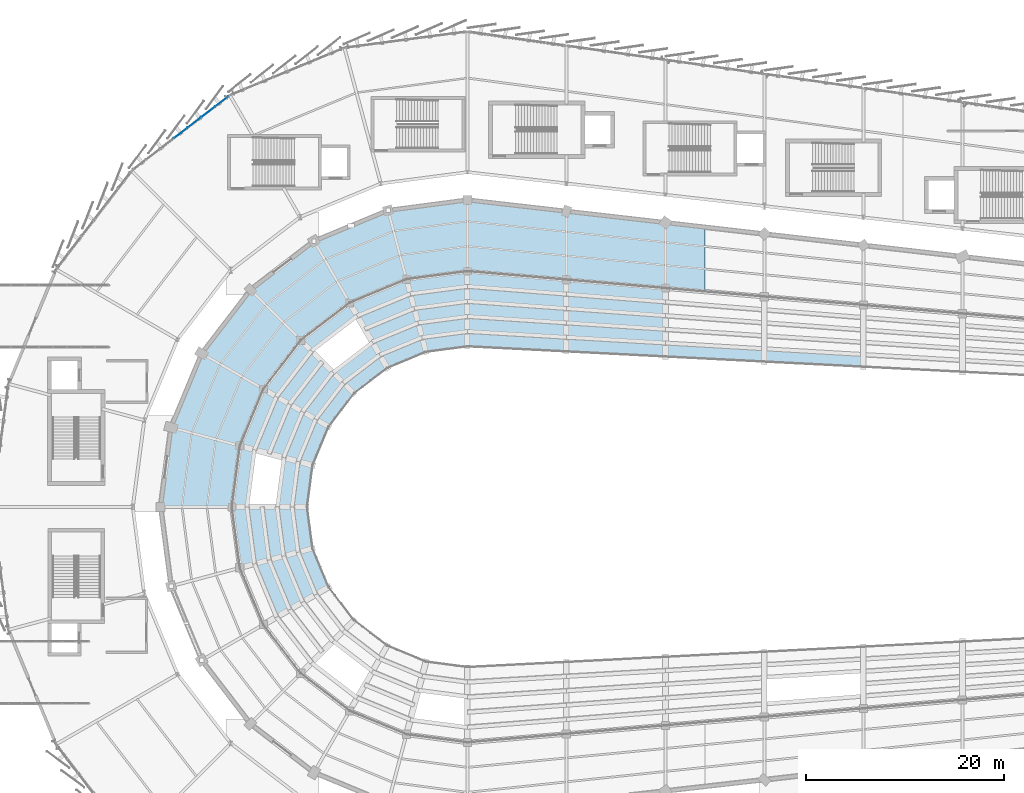
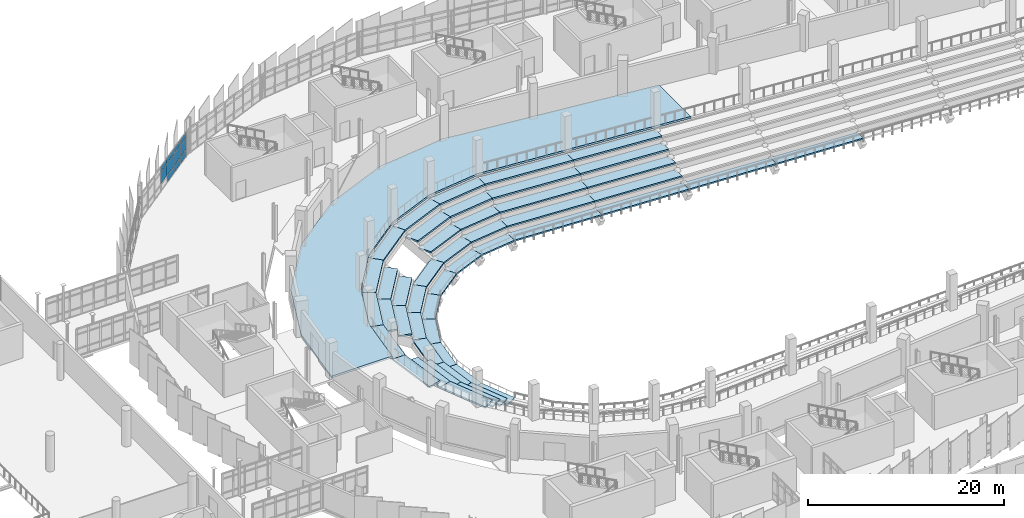
# One storey, part 93 of 134: 48 slabs, 11 plates, 1 element without a shape of its own.
"""IFC4 building model written with IfcOpenShell, lengths in metres."""

from ifc_helpers import new_model, si_unit, direction, frame, origin, origin_2d, place, context, subcontext, project, spatial, polyline, rectangle, outline, extrude, material, layer, layer_set, type_object, element, aggregate, save


model = new_model("IFC4")

# Units and contexts
model_context = context("Model", 3, precision=1e-05, world=origin(), true_north=direction((0.0, 1.0)))
body_context = subcontext(model_context, "Body", "Model", "MODEL_VIEW")
ifc_project = project(units=[si_unit("LENGTHUNIT", "METRE"), si_unit("AREAUNIT", "SQUARE_METRE"), si_unit("VOLUMEUNIT", "CUBIC_METRE"), si_unit("PLANEANGLEUNIT", "RADIAN"), si_unit("MASSUNIT", "GRAM", prefix="KILO")], contexts=[model_context])

# Site, building, storey
site_placement = place(None, origin())
site = spatial("IfcSite", under=ifc_project, at=site_placement, CompositionType="ELEMENT")
building_placement = place(site_placement, origin())
building = spatial("IfcBuilding", under=site, at=building_placement, Name="Sohan Crest Arena", CompositionType="ELEMENT")
storey_placement = place(building_placement, frame((0.0, 0.0, 4.5)))
storey = spatial("IfcBuildingStorey", under=building, at=storey_placement, Name="L01", CompositionType="ELEMENT", Elevation=4.5)

# Curtain wall, plates
ifc_material_1 = material(Name="Thermally broken anodised aluminium", Category="aluminium")
ifc_layer_1 = layer(ifc_material_1, 0.219970703125, Name="Thermally broken anodised aluminium")
ifc_layer_set_1 = layer_set([ifc_layer_1], Name="Thermally broken anodised aluminium")
curtain_wall_type = type_object("IfcCurtainWallType", Name="ARC-CW03", PredefinedType="NOTDEFINED", material=ifc_layer_set_1)
curtain_wall_placement = place(storey_placement, origin())
curtain_wall = element("IfcCurtainWall", 1, at=curtain_wall_placement, inside=storey, type_object=curtain_wall_type, Name="Unitised curtain wall CW-022", PredefinedType="NOTDEFINED")
ifc_material_2 = material(Name="Ceramic-fritted solar-control insulated glass", Category="glass")
ifc_layer_2 = layer(ifc_material_2, 0.035888671875, Name="Ceramic-fritted solar-control insulated glass")
ifc_layer_set_2 = layer_set([ifc_layer_2], Name="Ceramic-fritted solar-control insulated glass")
plate_type = type_object("IfcPlateType", Name="ARC-CNP03", PredefinedType="CURTAIN_PANEL", material=ifc_layer_set_2)
plate_1_placement = place(storey_placement, frame((73.187744140625, 118.94580078125, 0.070068359375), z_axis=(0.0, 0.0, 1.0), x_axis=(-0.793350515411, -0.608765110447, 0.0)))
plate_1 = element("IfcPlate", 2, at=plate_1_placement, type_object=plate_type, Name="CW-022 panel 1.1", PredefinedType="CURTAIN_PANEL", context=body_context, shape_type="SweptSolid", body=[
    extrude(rectangle(XDim=1.64794921875, YDim=0.035888671875, at=origin_2d()), origin(), (0.0, 0.0, 1.0), 0.794921875),
])
plate_2_placement = place(storey_placement, frame((73.187744140625, 118.94580078125, 0.93505859375), z_axis=(0.0, 0.0, 1.0), x_axis=(-0.793350515411, -0.608765110447, 0.0)))
plate_2 = element("IfcPlate", 3, at=plate_2_placement, type_object=plate_type, Name="CW-022 panel 1.2", PredefinedType="CURTAIN_PANEL", context=body_context, shape_type="SweptSolid", body=[
    extrude(rectangle(XDim=1.64794921875, YDim=0.035888671875, at=origin_2d()), origin(), (0.0, 0.0, 1.0), 1.449951171875),
])
plate_3_placement = place(storey_placement, frame((73.187744140625, 118.94580078125, 2.455078125), z_axis=(0.0, 0.0, 1.0), x_axis=(-0.793350515411, -0.608765110447, 0.0)))
plate_3 = element("IfcPlate", 4, at=plate_3_placement, type_object=plate_type, Name="CW-022 panel 1.3", PredefinedType="CURTAIN_PANEL", context=body_context, shape_type="SweptSolid", body=[
    extrude(rectangle(XDim=1.64794921875, YDim=0.035888671875, at=origin_2d()), origin(), (0.0, 0.0, 1.0), 0.594970703125),
])
plate_4_placement = place(storey_placement, frame((71.81103515625, 117.889404296875, 0.070068359375), z_axis=(0.0, 0.0, 1.0), x_axis=(-0.793350515411, -0.608765110447, 0.0)))
plate_4 = element("IfcPlate", 5, at=plate_4_placement, type_object=plate_type, Name="CW-022 panel 2.1", PredefinedType="CURTAIN_PANEL", context=body_context, shape_type="SweptSolid", body=[
    extrude(rectangle(XDim=1.682861328125, YDim=0.035888671875, at=origin_2d()), origin(), (0.0, 0.0, 1.0), 0.794921875),
])
plate_5_placement = place(storey_placement, frame((71.81103515625, 117.889404296875, 0.93505859375), z_axis=(0.0, 0.0, 1.0), x_axis=(-0.793350515411, -0.608765110447, 0.0)))
plate_5 = element("IfcPlate", 6, at=plate_5_placement, type_object=plate_type, Name="CW-022 panel 2.2", PredefinedType="CURTAIN_PANEL", context=body_context, shape_type="SweptSolid", body=[
    extrude(rectangle(XDim=1.682861328125, YDim=0.035888671875, at=origin_2d()), origin(), (0.0, 0.0, 1.0), 1.449951171875),
])
plate_6_placement = place(storey_placement, frame((71.81103515625, 117.889404296875, 2.455078125), z_axis=(0.0, 0.0, 1.0), x_axis=(-0.793350515411, -0.608765110447, 0.0)))
plate_6 = element("IfcPlate", 7, at=plate_6_placement, type_object=plate_type, Name="CW-022 panel 2.3", PredefinedType="CURTAIN_PANEL", context=body_context, shape_type="SweptSolid", body=[
    extrude(rectangle(XDim=1.682861328125, YDim=0.035888671875, at=origin_2d()), origin(), (0.0, 0.0, 1.0), 0.594970703125),
])
plate_7_placement = place(storey_placement, frame((70.420166015625, 116.822021484375, 0.070068359375), z_axis=(0.0, 0.0, 1.0), x_axis=(-0.793350515411, -0.608765110447, 0.0)))
plate_7 = element("IfcPlate", 8, at=plate_7_placement, type_object=plate_type, Name="CW-022 panel 3.1", PredefinedType="CURTAIN_PANEL", context=body_context, shape_type="SweptSolid", body=[
    extrude(rectangle(XDim=1.682861328125, YDim=0.035888671875, at=origin_2d()), origin(), (0.0, 0.0, 1.0), 0.794921875),
])
plate_8_placement = place(storey_placement, frame((70.420166015625, 116.822021484375, 0.93505859375), z_axis=(0.0, 0.0, 1.0), x_axis=(-0.793350515411, -0.608765110447, 0.0)))
plate_8 = element("IfcPlate", 9, at=plate_8_placement, type_object=plate_type, Name="CW-022 panel 3.2", PredefinedType="CURTAIN_PANEL", context=body_context, shape_type="SweptSolid", body=[
    extrude(rectangle(XDim=1.682861328125, YDim=0.035888671875, at=origin_2d()), origin(), (0.0, 0.0, 1.0), 1.449951171875),
])
plate_9_placement = place(storey_placement, frame((70.420166015625, 116.822021484375, 2.455078125), z_axis=(0.0, 0.0, 1.0), x_axis=(-0.793350515411, -0.608765110447, 0.0)))
plate_9 = element("IfcPlate", 10, at=plate_9_placement, type_object=plate_type, Name="CW-022 panel 3.3", PredefinedType="CURTAIN_PANEL", context=body_context, shape_type="SweptSolid", body=[
    extrude(rectangle(XDim=1.682861328125, YDim=0.035888671875, at=origin_2d()), origin(), (0.0, 0.0, 1.0), 0.594970703125),
])
plate_10_placement = place(storey_placement, frame((69.029541015625, 115.7548828125, 0.93505859375), z_axis=(0.0, 0.0, 1.0), x_axis=(-0.793350515411, -0.608765110447, 0.0)))
plate_10 = element("IfcPlate", 11, at=plate_10_placement, type_object=plate_type, Name="CW-022 panel 4.2", PredefinedType="CURTAIN_PANEL", context=body_context, shape_type="SweptSolid", body=[
    extrude(rectangle(XDim=1.682861328125, YDim=0.035888671875, at=origin_2d()), origin(), (0.0, 0.0, 1.0), 1.449951171875),
])
plate_11_placement = place(storey_placement, frame((69.029541015625, 115.7548828125, 2.455078125), z_axis=(0.0, 0.0, 1.0), x_axis=(-0.793350515411, -0.608765110447, 0.0)))
plate_11 = element("IfcPlate", 12, at=plate_11_placement, type_object=plate_type, Name="CW-022 panel 4.3", PredefinedType="CURTAIN_PANEL", context=body_context, shape_type="SweptSolid", body=[
    extrude(rectangle(XDim=1.682861328125, YDim=0.035888671875, at=origin_2d()), origin(), (0.0, 0.0, 1.0), 0.594970703125),
])
aggregate(curtain_wall, [plate_1, plate_2, plate_3, plate_4, plate_5, plate_6, plate_7, plate_8, plate_9, plate_10, plate_11])

# Slabs
ifc_material_3 = material(Name="Concrete C40/50", Category="concrete")
ifc_layer_3 = layer(ifc_material_3, 0.25, Name="Concrete C40/50")
ifc_layer_set_3 = layer_set([ifc_layer_3], Name="Concrete C40/50")
slab_type_1 = type_object("IfcSlabType", Name="SL-FLR3", PredefinedType="FLOOR", material=ifc_layer_set_3)
slab_1_placement = place(storey_placement, frame((0.0, 0.0, -0.25)))
element("IfcSlab", 13, at=slab_1_placement, inside=storey, type_object=slab_type_1, Name="Bowl vomitory ring L01 Q1 SL-L01-V1Q1", PredefinedType="FLOOR", context=body_context, shape_type="SweptSolid", body=[
    extrude(outline(polyline([(68.055908203125, 86.02294921875), (71.153076171875, 93.5), (76.080078125, 99.919921875), (82.5, 104.846923828125), (89.97705078125, 107.944091796875), (98.0, 109.0), (122.0, 106.257080078125), (122.0, 99.742919921875), (98.0, 101.800048828125), (91.840087890625, 100.989013671875), (86.10009765625, 98.611083984375), (81.1708984375, 94.8291015625), (77.388916015625, 89.89990234375), (75.010986328125, 84.159912109375), (74.199951171875, 78.0), (67.0, 78.0), (68.055908203125, 86.02294921875)])), origin(), (0.0, 0.0, 1.0), 0.25),
])
ifc_material_4 = material(Name="Precast concrete C50/60", Category="concrete")
ifc_layer_4 = layer(ifc_material_4, 0.179931640625, Name="Precast concrete C50/60")
ifc_layer_set_4 = layer_set([ifc_layer_4], Name="Precast concrete C50/60")
slab_type_2 = type_object("IfcSlabType", Name="SL-TIER1", PredefinedType="USERDEFINED", material=ifc_layer_set_4)
slab_2_placement = place(storey_placement, frame((0.0, 0.0, -3.865966796875)))
element("IfcSlab", 14, at=slab_2_placement, inside=storey, type_object=slab_type_2, Name="Lower bowl precast seating tier ST-LOW-001", ObjectType="SEATING TIER", PredefinedType="USERDEFINED", context=body_context, shape_type="SweptSolid", body=[
    extrude(outline(polyline([(98.0, 94.199951171875), (93.806884765625, 93.64794921875), (93.428955078125, 95.056884765625), (98.0, 95.658935546875), (98.0, 94.199951171875)])), origin(), (0.0, 0.0, 1.0), 0.179931640625),
])
slab_3_placement = place(storey_placement, frame((0.0, 0.0, -3.0458984375)))
element("IfcSlab", 15, at=slab_3_placement, inside=storey, type_object=slab_type_2, Name="Lower bowl precast seating tier ST-LOW-002", ObjectType="SEATING TIER", PredefinedType="USERDEFINED", context=body_context, shape_type="SweptSolid", body=[
    extrude(outline(polyline([(98.0, 95.719970703125), (93.4140625, 95.115966796875), (93.035888671875, 96.52587890625), (98.0, 97.178955078125), (98.0, 95.719970703125)])), origin(), (0.0, 0.0, 1.0), 0.179931640625),
])
slab_4_placement = place(storey_placement, frame((0.0, 0.0, -2.22607421875)))
element("IfcSlab", 16, at=slab_4_placement, inside=storey, type_object=slab_type_2, Name="Lower bowl precast seating tier ST-LOW-003", ObjectType="SEATING TIER", PredefinedType="USERDEFINED", context=body_context, shape_type="SweptSolid", body=[
    extrude(outline(polyline([(98.0, 97.239990234375), (93.02001953125, 96.583984375), (92.64306640625, 97.993896484375), (98.0, 98.698974609375), (98.0, 97.239990234375)])), origin(), (0.0, 0.0, 1.0), 0.18017578125),
])
slab_5_placement = place(storey_placement, frame((0.0, 0.0, -3.865966796875)))
element("IfcSlab", 17, at=slab_5_placement, inside=storey, type_object=slab_type_2, Name="Lower bowl precast seating tier ST-LOW-011", ObjectType="SEATING TIER", PredefinedType="USERDEFINED", context=body_context, shape_type="SweptSolid", body=[
    extrude(outline(polyline([(93.806884765625, 93.64794921875), (89.89990234375, 92.030029296875), (89.169921875, 93.2939453125), (93.428955078125, 95.056884765625), (93.806884765625, 93.64794921875)])), origin(), (0.0, 0.0, 1.0), 0.179931640625),
])
slab_6_placement = place(storey_placement, frame((0.0, 0.0, -3.0458984375)))
element("IfcSlab", 18, at=slab_6_placement, inside=storey, type_object=slab_type_2, Name="Lower bowl precast seating tier ST-LOW-012", ObjectType="SEATING TIER", PredefinedType="USERDEFINED", context=body_context, shape_type="SweptSolid", body=[
    extrude(outline(polyline([(93.4140625, 95.115966796875), (89.139892578125, 93.345947265625), (88.409912109375, 94.610107421875), (93.035888671875, 96.52587890625), (93.4140625, 95.115966796875)])), origin(), (0.0, 0.0, 1.0), 0.179931640625),
])
slab_7_placement = place(storey_placement, frame((0.0, 0.0, -2.22607421875)))
element("IfcSlab", 19, at=slab_7_placement, inside=storey, type_object=slab_type_2, Name="Lower bowl precast seating tier ST-LOW-013", ObjectType="SEATING TIER", PredefinedType="USERDEFINED", context=body_context, shape_type="SweptSolid", body=[
    extrude(outline(polyline([(93.02001953125, 96.583984375), (88.3798828125, 94.662109375), (87.64990234375, 95.926025390625), (92.64306640625, 97.993896484375), (93.02001953125, 96.583984375)])), origin(), (0.0, 0.0, 1.0), 0.18017578125),
])
slab_8_placement = place(storey_placement, frame((0.0, 0.0, -3.865966796875)))
element("IfcSlab", 20, at=slab_8_placement, inside=storey, type_object=slab_type_2, Name="Lower bowl precast seating tier ST-LOW-021", ObjectType="SEATING TIER", PredefinedType="USERDEFINED", context=body_context, shape_type="SweptSolid", body=[
    extrude(outline(polyline([(89.89990234375, 92.030029296875), (86.544921875, 89.455078125), (85.512939453125, 90.487060546875), (89.169921875, 93.2939453125), (89.89990234375, 92.030029296875)])), origin(), (0.0, 0.0, 1.0), 0.179931640625),
])
slab_9_placement = place(storey_placement, frame((0.0, 0.0, -3.0458984375)))
element("IfcSlab", 21, at=slab_9_placement, inside=storey, type_object=slab_type_2, Name="Lower bowl precast seating tier ST-LOW-022", ObjectType="SEATING TIER", PredefinedType="USERDEFINED", context=body_context, shape_type="SweptSolid", body=[
    extrude(outline(polyline([(89.139892578125, 93.345947265625), (85.469970703125, 90.530029296875), (84.43798828125, 91.56201171875), (88.409912109375, 94.610107421875), (89.139892578125, 93.345947265625)])), origin(), (0.0, 0.0, 1.0), 0.179931640625),
])
slab_10_placement = place(storey_placement, frame((0.0, 0.0, -3.865966796875)))
element("IfcSlab", 22, at=slab_10_placement, inside=storey, type_object=slab_type_2, Name="Lower bowl precast seating tier ST-LOW-025", ObjectType="SEATING TIER", PredefinedType="USERDEFINED", context=body_context, shape_type="SweptSolid", body=[
    extrude(outline(polyline([(86.544921875, 89.455078125), (83.969970703125, 86.10009765625), (82.7060546875, 86.830078125), (85.512939453125, 90.487060546875), (86.544921875, 89.455078125)])), origin(), (0.0, 0.0, 1.0), 0.179931640625),
])
slab_11_placement = place(storey_placement, frame((0.0, 0.0, -3.0458984375)))
element("IfcSlab", 23, at=slab_11_placement, inside=storey, type_object=slab_type_2, Name="Lower bowl precast seating tier ST-LOW-026", ObjectType="SEATING TIER", PredefinedType="USERDEFINED", context=body_context, shape_type="SweptSolid", body=[
    extrude(outline(polyline([(85.469970703125, 90.530029296875), (82.654052734375, 86.860107421875), (81.389892578125, 87.590087890625), (84.43798828125, 91.56201171875), (85.469970703125, 90.530029296875)])), origin(), (0.0, 0.0, 1.0), 0.179931640625),
])
slab_12_placement = place(storey_placement, frame((0.0, 0.0, -2.22607421875)))
element("IfcSlab", 24, at=slab_12_placement, inside=storey, type_object=slab_type_2, Name="Lower bowl precast seating tier ST-LOW-027", ObjectType="SEATING TIER", PredefinedType="USERDEFINED", context=body_context, shape_type="SweptSolid", body=[
    extrude(outline(polyline([(84.39501953125, 91.60498046875), (81.337890625, 87.6201171875), (80.073974609375, 88.35009765625), (83.364013671875, 92.635986328125), (84.39501953125, 91.60498046875)])), origin(), (0.0, 0.0, 1.0), 0.18017578125),
])
slab_13_placement = place(storey_placement, frame((0.0, 0.0, -3.865966796875)))
element("IfcSlab", 25, at=slab_13_placement, inside=storey, type_object=slab_type_2, Name="Lower bowl precast seating tier ST-LOW-035", ObjectType="SEATING TIER", PredefinedType="USERDEFINED", context=body_context, shape_type="SweptSolid", body=[
    extrude(outline(polyline([(83.969970703125, 86.10009765625), (82.35205078125, 82.193115234375), (80.943115234375, 82.571044921875), (82.7060546875, 86.830078125), (83.969970703125, 86.10009765625)])), origin(), (0.0, 0.0, 1.0), 0.179931640625),
])
slab_14_placement = place(storey_placement, frame((0.0, 0.0, -3.0458984375)))
element("IfcSlab", 26, at=slab_14_placement, inside=storey, type_object=slab_type_2, Name="Lower bowl precast seating tier ST-LOW-036", ObjectType="SEATING TIER", PredefinedType="USERDEFINED", context=body_context, shape_type="SweptSolid", body=[
    extrude(outline(polyline([(82.654052734375, 86.860107421875), (80.884033203125, 82.5859375), (79.47412109375, 82.964111328125), (81.389892578125, 87.590087890625), (82.654052734375, 86.860107421875)])), origin(), (0.0, 0.0, 1.0), 0.179931640625),
])
slab_15_placement = place(storey_placement, frame((0.0, 0.0, -2.22607421875)))
element("IfcSlab", 27, at=slab_15_placement, inside=storey, type_object=slab_type_2, Name="Lower bowl precast seating tier ST-LOW-037", ObjectType="SEATING TIER", PredefinedType="USERDEFINED", context=body_context, shape_type="SweptSolid", body=[
    extrude(outline(polyline([(81.337890625, 87.6201171875), (79.416015625, 82.97998046875), (78.006103515625, 83.35693359375), (80.073974609375, 88.35009765625), (81.337890625, 87.6201171875)])), origin(), (0.0, 0.0, 1.0), 0.18017578125),
])
slab_16_placement = place(storey_placement, frame((0.0, 0.0, -3.865966796875)))
element("IfcSlab", 28, at=slab_16_placement, inside=storey, type_object=slab_type_2, Name="Lower bowl precast seating tier ST-LOW-045", ObjectType="SEATING TIER", PredefinedType="USERDEFINED", context=body_context, shape_type="SweptSolid", body=[
    extrude(outline(polyline([(82.35205078125, 82.193115234375), (81.800048828125, 78.0), (80.341064453125, 78.0), (80.943115234375, 82.571044921875), (82.35205078125, 82.193115234375)])), origin(), (0.0, 0.0, 1.0), 0.179931640625),
])
slab_17_placement = place(storey_placement, frame((0.0, 0.0, -3.0458984375)))
element("IfcSlab", 29, at=slab_17_placement, inside=storey, type_object=slab_type_2, Name="Lower bowl precast seating tier ST-LOW-046", ObjectType="SEATING TIER", PredefinedType="USERDEFINED", context=body_context, shape_type="SweptSolid", body=[
    extrude(outline(polyline([(80.884033203125, 82.5859375), (80.280029296875, 78.0), (78.821044921875, 78.0), (79.47412109375, 82.964111328125), (80.884033203125, 82.5859375)])), origin(), (0.0, 0.0, 1.0), 0.179931640625),
])
slab_18_placement = place(storey_placement, frame((0.0, 0.0, -3.865966796875)))
element("IfcSlab", 30, at=slab_18_placement, inside=storey, type_object=slab_type_2, Name="Lower bowl precast seating tier ST-LOW-049", ObjectType="SEATING TIER", PredefinedType="USERDEFINED", context=body_context, shape_type="SweptSolid", body=[
    extrude(outline(polyline([(81.800048828125, 78.0), (82.35205078125, 73.806884765625), (80.943115234375, 73.428955078125), (80.341064453125, 78.0), (81.800048828125, 78.0)])), origin(), (0.0, 0.0, 1.0), 0.179931640625),
])
slab_19_placement = place(storey_placement, frame((0.0, 0.0, -3.0458984375)))
element("IfcSlab", 31, at=slab_19_placement, inside=storey, type_object=slab_type_2, Name="Lower bowl precast seating tier ST-LOW-050", ObjectType="SEATING TIER", PredefinedType="USERDEFINED", context=body_context, shape_type="SweptSolid", body=[
    extrude(outline(polyline([(80.280029296875, 78.0), (80.884033203125, 73.4140625), (79.47412109375, 73.035888671875), (78.821044921875, 78.0), (80.280029296875, 78.0)])), origin(), (0.0, 0.0, 1.0), 0.179931640625),
])
slab_20_placement = place(storey_placement, frame((0.0, 0.0, -2.22607421875)))
element("IfcSlab", 32, at=slab_20_placement, inside=storey, type_object=slab_type_2, Name="Lower bowl precast seating tier ST-LOW-051", ObjectType="SEATING TIER", PredefinedType="USERDEFINED", context=body_context, shape_type="SweptSolid", body=[
    extrude(outline(polyline([(78.760009765625, 78.0), (79.416015625, 73.02001953125), (78.006103515625, 72.64306640625), (77.301025390625, 78.0), (78.760009765625, 78.0)])), origin(), (0.0, 0.0, 1.0), 0.18017578125),
])
slab_21_placement = place(storey_placement, frame((0.0, 0.0, -3.865966796875)))
element("IfcSlab", 33, at=slab_21_placement, inside=storey, type_object=slab_type_2, Name="Lower bowl precast seating tier ST-LOW-059", ObjectType="SEATING TIER", PredefinedType="USERDEFINED", context=body_context, shape_type="SweptSolid", body=[
    extrude(outline(polyline([(82.35205078125, 73.806884765625), (83.969970703125, 69.89990234375), (82.7060546875, 69.169921875), (80.943115234375, 73.428955078125), (82.35205078125, 73.806884765625)])), origin(), (0.0, 0.0, 1.0), 0.179931640625),
])
slab_22_placement = place(storey_placement, frame((0.0, 0.0, -3.0458984375)))
element("IfcSlab", 34, at=slab_22_placement, inside=storey, type_object=slab_type_2, Name="Lower bowl precast seating tier ST-LOW-060", ObjectType="SEATING TIER", PredefinedType="USERDEFINED", context=body_context, shape_type="SweptSolid", body=[
    extrude(outline(polyline([(80.884033203125, 73.4140625), (82.654052734375, 69.139892578125), (81.389892578125, 68.409912109375), (79.47412109375, 73.035888671875), (80.884033203125, 73.4140625)])), origin(), (0.0, 0.0, 1.0), 0.179931640625),
])
slab_23_placement = place(storey_placement, frame((0.0, 0.0, -2.22607421875)))
element("IfcSlab", 35, at=slab_23_placement, inside=storey, type_object=slab_type_2, Name="Lower bowl precast seating tier ST-LOW-061", ObjectType="SEATING TIER", PredefinedType="USERDEFINED", context=body_context, shape_type="SweptSolid", body=[
    extrude(outline(polyline([(79.416015625, 73.02001953125), (81.337890625, 68.3798828125), (80.073974609375, 67.64990234375), (78.006103515625, 72.64306640625), (79.416015625, 73.02001953125)])), origin(), (0.0, 0.0, 1.0), 0.18017578125),
])
slab_24_placement = place(storey_placement, frame((0.0, 0.0, -3.865966796875)))
element("IfcSlab", 36, at=slab_24_placement, inside=storey, type_object=slab_type_2, Name="Lower bowl precast seating tier ST-LOW-226", ObjectType="SEATING TIER", PredefinedType="USERDEFINED", context=body_context, shape_type="SweptSolid", body=[
    extrude(outline(polyline([(138.0, 92.14306640625), (128.0, 92.656982421875), (128.0, 93.9189453125), (138.0, 93.339111328125), (138.0, 92.14306640625)])), origin(), (0.0, 0.0, 1.0), 0.179931640625),
])
slab_25_placement = place(storey_placement, frame((0.0, 0.0, -3.865966796875)))
element("IfcSlab", 37, at=slab_25_placement, inside=storey, type_object=slab_type_2, Name="Lower bowl precast seating tier ST-LOW-236", ObjectType="SEATING TIER", PredefinedType="USERDEFINED", context=body_context, shape_type="SweptSolid", body=[
    extrude(outline(polyline([(128.0, 92.656982421875), (118.0, 93.1708984375), (118.0, 94.4990234375), (128.0, 93.9189453125), (128.0, 92.656982421875)])), origin(), (0.0, 0.0, 1.0), 0.179931640625),
])
slab_26_placement = place(storey_placement, frame((0.0, 0.0, -3.865966796875)))
element("IfcSlab", 38, at=slab_26_placement, inside=storey, type_object=slab_type_2, Name="Lower bowl precast seating tier ST-LOW-246", ObjectType="SEATING TIER", PredefinedType="USERDEFINED", context=body_context, shape_type="SweptSolid", body=[
    extrude(outline(polyline([(118.0, 93.1708984375), (108.0, 93.68603515625), (108.0, 95.0791015625), (118.0, 94.4990234375), (118.0, 93.1708984375)])), origin(), (0.0, 0.0, 1.0), 0.179931640625),
])
slab_27_placement = place(storey_placement, frame((0.0, 0.0, -3.0458984375)))
element("IfcSlab", 39, at=slab_27_placement, inside=storey, type_object=slab_type_2, Name="Lower bowl precast seating tier ST-LOW-247", ObjectType="SEATING TIER", PredefinedType="USERDEFINED", context=body_context, shape_type="SweptSolid", body=[
    extrude(outline(polyline([(118.0, 94.553955078125), (108.0, 95.136962890625), (108.0, 96.531005859375), (118.0, 95.882080078125), (118.0, 94.553955078125)])), origin(), (0.0, 0.0, 1.0), 0.179931640625),
])
slab_28_placement = place(storey_placement, frame((0.0, 0.0, -2.22607421875)))
element("IfcSlab", 40, at=slab_28_placement, inside=storey, type_object=slab_type_2, Name="Lower bowl precast seating tier ST-LOW-248", ObjectType="SEATING TIER", PredefinedType="USERDEFINED", context=body_context, shape_type="SweptSolid", body=[
    extrude(outline(polyline([(118.0, 95.93701171875), (108.0, 96.589111328125), (108.0, 97.98193359375), (118.0, 97.264892578125), (118.0, 95.93701171875)])), origin(), (0.0, 0.0, 1.0), 0.18017578125),
])
slab_29_placement = place(storey_placement, frame((0.0, 0.0, -3.865966796875)))
element("IfcSlab", 41, at=slab_29_placement, inside=storey, type_object=slab_type_2, Name="Lower bowl precast seating tier ST-LOW-256", ObjectType="SEATING TIER", PredefinedType="USERDEFINED", context=body_context, shape_type="SweptSolid", body=[
    extrude(outline(polyline([(108.0, 93.68603515625), (98.0, 94.199951171875), (98.0, 95.658935546875), (108.0, 95.0791015625), (108.0, 93.68603515625)])), origin(), (0.0, 0.0, 1.0), 0.179931640625),
])
slab_30_placement = place(storey_placement, frame((0.0, 0.0, -3.0458984375)))
element("IfcSlab", 42, at=slab_30_placement, inside=storey, type_object=slab_type_2, Name="Lower bowl precast seating tier ST-LOW-257", ObjectType="SEATING TIER", PredefinedType="USERDEFINED", context=body_context, shape_type="SweptSolid", body=[
    extrude(outline(polyline([(108.0, 95.136962890625), (98.0, 95.719970703125), (98.0, 97.178955078125), (108.0, 96.531005859375), (108.0, 95.136962890625)])), origin(), (0.0, 0.0, 1.0), 0.179931640625),
])
slab_31_placement = place(storey_placement, frame((0.0, 0.0, -2.22607421875)))
element("IfcSlab", 43, at=slab_31_placement, inside=storey, type_object=slab_type_2, Name="Lower bowl precast seating tier ST-LOW-258", ObjectType="SEATING TIER", PredefinedType="USERDEFINED", context=body_context, shape_type="SweptSolid", body=[
    extrude(outline(polyline([(108.0, 96.589111328125), (98.0, 97.239990234375), (98.0, 98.698974609375), (108.0, 97.98193359375), (108.0, 96.589111328125)])), origin(), (0.0, 0.0, 1.0), 0.18017578125),
])
ifc_layer_5 = layer(ifc_material_4, 0.205078125, Name="Precast concrete C50/60")
ifc_layer_set_5 = layer_set([ifc_layer_5], Name="Precast concrete C50/60")
slab_type_3 = type_object("IfcSlabType", Name="SL-TIER2", PredefinedType="USERDEFINED", material=ifc_layer_set_5)
slab_32_placement = place(storey_placement, frame((0.0, 0.0, -1.406005859375)))
element("IfcSlab", 44, at=slab_32_placement, inside=storey, type_object=slab_type_3, Name="Lower bowl precast seating tier ST-LOW-004", ObjectType="SEATING TIER", PredefinedType="USERDEFINED", context=body_context, shape_type="SweptSolid", body=[
    extrude(outline(polyline([(98.0, 98.760009765625), (92.626953125, 98.052978515625), (92.2490234375, 99.4619140625), (98.0, 100.218994140625), (98.0, 98.760009765625)])), origin(), (0.0, 0.0, 1.0), 0.205078125),
])
slab_33_placement = place(storey_placement, frame((0.0, 0.0, -0.5859375)))
element("IfcSlab", 45, at=slab_33_placement, inside=storey, type_object=slab_type_3, Name="Lower bowl precast seating tier ST-LOW-005", ObjectType="SEATING TIER", PredefinedType="USERDEFINED", context=body_context, shape_type="SweptSolid", body=[
    extrude(outline(polyline([(98.0, 100.280029296875), (92.23291015625, 99.52099609375), (91.85595703125, 100.929931640625), (98.0, 101.739013671875), (98.0, 100.280029296875)])), origin(), (0.0, 0.0, 1.0), 0.204833984375),
])
slab_34_placement = place(storey_placement, frame((0.0, 0.0, -1.406005859375)))
element("IfcSlab", 46, at=slab_34_placement, inside=storey, type_object=slab_type_3, Name="Lower bowl precast seating tier ST-LOW-014", ObjectType="SEATING TIER", PredefinedType="USERDEFINED", context=body_context, shape_type="SweptSolid", body=[
    extrude(outline(polyline([(92.626953125, 98.052978515625), (87.6201171875, 95.97900390625), (86.889892578125, 97.241943359375), (92.2490234375, 99.4619140625), (92.626953125, 98.052978515625)])), origin(), (0.0, 0.0, 1.0), 0.205078125),
])
slab_35_placement = place(storey_placement, frame((0.0, 0.0, -0.5859375)))
element("IfcSlab", 47, at=slab_35_placement, inside=storey, type_object=slab_type_3, Name="Lower bowl precast seating tier ST-LOW-015", ObjectType="SEATING TIER", PredefinedType="USERDEFINED", context=body_context, shape_type="SweptSolid", body=[
    extrude(outline(polyline([(92.23291015625, 99.52099609375), (86.860107421875, 97.294921875), (86.1298828125, 98.55810546875), (91.85595703125, 100.929931640625), (92.23291015625, 99.52099609375)])), origin(), (0.0, 0.0, 1.0), 0.204833984375),
])
slab_36_placement = place(storey_placement, frame((0.0, 0.0, -0.5859375)))
element("IfcSlab", 48, at=slab_36_placement, inside=storey, type_object=slab_type_3, Name="Lower bowl precast seating tier ST-LOW-023", ObjectType="SEATING TIER", PredefinedType="USERDEFINED", context=body_context, shape_type="SweptSolid", body=[
    extrude(outline(polyline([(86.860107421875, 97.294921875), (82.24609375, 93.75390625), (81.214111328125, 94.785888671875), (86.1298828125, 98.55810546875), (86.860107421875, 97.294921875)])), origin(), (0.0, 0.0, 1.0), 0.204833984375),
])
slab_37_placement = place(storey_placement, frame((0.0, 0.0, -1.406005859375)))
element("IfcSlab", 49, at=slab_37_placement, inside=storey, type_object=slab_type_3, Name="Lower bowl precast seating tier ST-LOW-028", ObjectType="SEATING TIER", PredefinedType="USERDEFINED", context=body_context, shape_type="SweptSolid", body=[
    extrude(outline(polyline([(83.321044921875, 92.678955078125), (80.02099609375, 88.3798828125), (78.758056640625, 89.110107421875), (82.2890625, 93.7109375), (83.321044921875, 92.678955078125)])), origin(), (0.0, 0.0, 1.0), 0.205078125),
])
slab_38_placement = place(storey_placement, frame((0.0, 0.0, -0.5859375)))
element("IfcSlab", 50, at=slab_38_placement, inside=storey, type_object=slab_type_3, Name="Lower bowl precast seating tier ST-LOW-029", ObjectType="SEATING TIER", PredefinedType="USERDEFINED", context=body_context, shape_type="SweptSolid", body=[
    extrude(outline(polyline([(82.24609375, 93.75390625), (78.705078125, 89.139892578125), (77.44189453125, 89.8701171875), (81.214111328125, 94.785888671875), (82.24609375, 93.75390625)])), origin(), (0.0, 0.0, 1.0), 0.204833984375),
])
slab_39_placement = place(storey_placement, frame((0.0, 0.0, -1.406005859375)))
element("IfcSlab", 51, at=slab_39_placement, inside=storey, type_object=slab_type_3, Name="Lower bowl precast seating tier ST-LOW-038", ObjectType="SEATING TIER", PredefinedType="USERDEFINED", context=body_context, shape_type="SweptSolid", body=[
    extrude(outline(polyline([(80.02099609375, 88.3798828125), (77.947021484375, 83.373046875), (76.5380859375, 83.7509765625), (78.758056640625, 89.110107421875), (80.02099609375, 88.3798828125)])), origin(), (0.0, 0.0, 1.0), 0.205078125),
])
slab_40_placement = place(storey_placement, frame((0.0, 0.0, -0.5859375)))
element("IfcSlab", 52, at=slab_40_placement, inside=storey, type_object=slab_type_3, Name="Lower bowl precast seating tier ST-LOW-039", ObjectType="SEATING TIER", PredefinedType="USERDEFINED", context=body_context, shape_type="SweptSolid", body=[
    extrude(outline(polyline([(78.705078125, 89.139892578125), (76.47900390625, 83.76708984375), (75.070068359375, 84.14404296875), (77.44189453125, 89.8701171875), (78.705078125, 89.139892578125)])), origin(), (0.0, 0.0, 1.0), 0.204833984375),
])
slab_41_placement = place(storey_placement, frame((0.0, 0.0, -0.5859375)))
element("IfcSlab", 53, at=slab_41_placement, inside=storey, type_object=slab_type_3, Name="Lower bowl precast seating tier ST-LOW-047", ObjectType="SEATING TIER", PredefinedType="USERDEFINED", context=body_context, shape_type="SweptSolid", body=[
    extrude(outline(polyline([(76.47900390625, 83.76708984375), (75.719970703125, 78.0), (74.260986328125, 78.0), (75.070068359375, 84.14404296875), (76.47900390625, 83.76708984375)])), origin(), (0.0, 0.0, 1.0), 0.204833984375),
])
slab_42_placement = place(storey_placement, frame((0.0, 0.0, -1.406005859375)))
element("IfcSlab", 54, at=slab_42_placement, inside=storey, type_object=slab_type_3, Name="Lower bowl precast seating tier ST-LOW-052", ObjectType="SEATING TIER", PredefinedType="USERDEFINED", context=body_context, shape_type="SweptSolid", body=[
    extrude(outline(polyline([(77.239990234375, 78.0), (77.947021484375, 72.626953125), (76.5380859375, 72.2490234375), (75.781005859375, 78.0), (77.239990234375, 78.0)])), origin(), (0.0, 0.0, 1.0), 0.205078125),
])
slab_43_placement = place(storey_placement, frame((0.0, 0.0, -0.5859375)))
element("IfcSlab", 55, at=slab_43_placement, inside=storey, type_object=slab_type_3, Name="Lower bowl precast seating tier ST-LOW-053", ObjectType="SEATING TIER", PredefinedType="USERDEFINED", context=body_context, shape_type="SweptSolid", body=[
    extrude(outline(polyline([(75.719970703125, 78.0), (76.47900390625, 72.23291015625), (75.070068359375, 71.85595703125), (74.260986328125, 78.0), (75.719970703125, 78.0)])), origin(), (0.0, 0.0, 1.0), 0.204833984375),
])
slab_44_placement = place(storey_placement, frame((0.0, 0.0, -1.406005859375)))
element("IfcSlab", 56, at=slab_44_placement, inside=storey, type_object=slab_type_3, Name="Lower bowl precast seating tier ST-LOW-062", ObjectType="SEATING TIER", PredefinedType="USERDEFINED", context=body_context, shape_type="SweptSolid", body=[
    extrude(outline(polyline([(77.947021484375, 72.626953125), (80.02099609375, 67.6201171875), (78.758056640625, 66.889892578125), (76.5380859375, 72.2490234375), (77.947021484375, 72.626953125)])), origin(), (0.0, 0.0, 1.0), 0.205078125),
])
slab_45_placement = place(storey_placement, frame((0.0, 0.0, -1.406005859375)))
element("IfcSlab", 57, at=slab_45_placement, inside=storey, type_object=slab_type_3, Name="Lower bowl precast seating tier ST-LOW-249", ObjectType="SEATING TIER", PredefinedType="USERDEFINED", context=body_context, shape_type="SweptSolid", body=[
    extrude(outline(polyline([(118.0, 97.320068359375), (108.0, 98.0400390625), (108.0, 99.43408203125), (118.0, 98.64794921875), (118.0, 97.320068359375)])), origin(), (0.0, 0.0, 1.0), 0.205078125),
])
slab_46_placement = place(storey_placement, frame((0.0, 0.0, -0.5859375)))
element("IfcSlab", 58, at=slab_46_placement, inside=storey, type_object=slab_type_3, Name="Lower bowl precast seating tier ST-LOW-250", ObjectType="SEATING TIER", PredefinedType="USERDEFINED", context=body_context, shape_type="SweptSolid", body=[
    extrude(outline(polyline([(118.0, 98.702880859375), (108.0, 99.491943359375), (108.0, 100.885009765625), (118.0, 100.031005859375), (118.0, 98.702880859375)])), origin(), (0.0, 0.0, 1.0), 0.204833984375),
])
slab_47_placement = place(storey_placement, frame((0.0, 0.0, -1.406005859375)))
element("IfcSlab", 59, at=slab_47_placement, inside=storey, type_object=slab_type_3, Name="Lower bowl precast seating tier ST-LOW-259", ObjectType="SEATING TIER", PredefinedType="USERDEFINED", context=body_context, shape_type="SweptSolid", body=[
    extrude(outline(polyline([(108.0, 98.0400390625), (98.0, 98.760009765625), (98.0, 100.218994140625), (108.0, 99.43408203125), (108.0, 98.0400390625)])), origin(), (0.0, 0.0, 1.0), 0.205078125),
])
slab_48_placement = place(storey_placement, frame((0.0, 0.0, -0.5859375)))
element("IfcSlab", 60, at=slab_48_placement, inside=storey, type_object=slab_type_3, Name="Lower bowl precast seating tier ST-LOW-260", ObjectType="SEATING TIER", PredefinedType="USERDEFINED", context=body_context, shape_type="SweptSolid", body=[
    extrude(outline(polyline([(108.0, 99.491943359375), (98.0, 100.280029296875), (98.0, 101.739013671875), (108.0, 100.885009765625), (108.0, 99.491943359375)])), origin(), (0.0, 0.0, 1.0), 0.204833984375),
])

save(model, "model.ifc")
